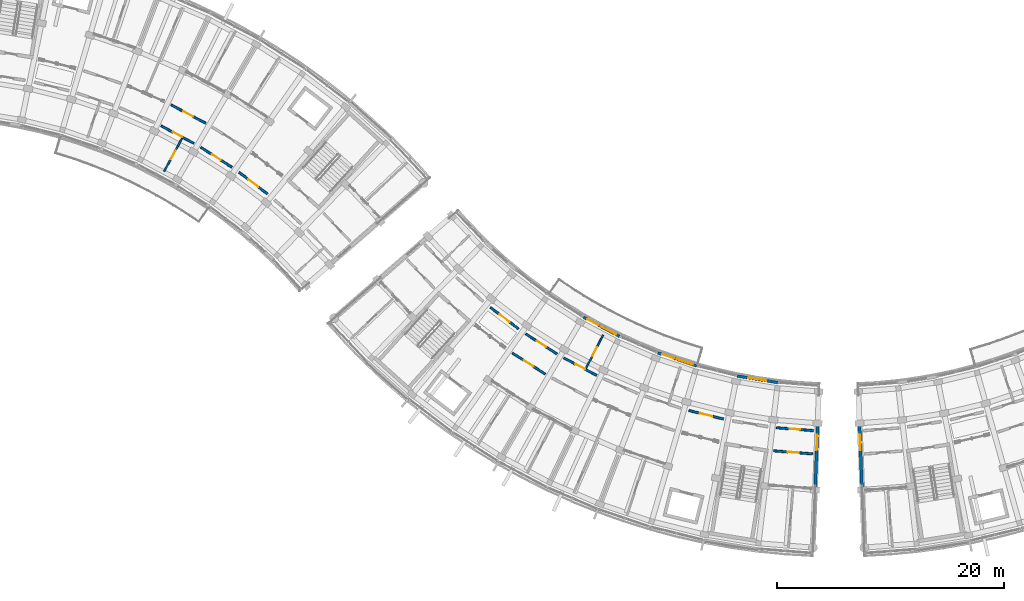
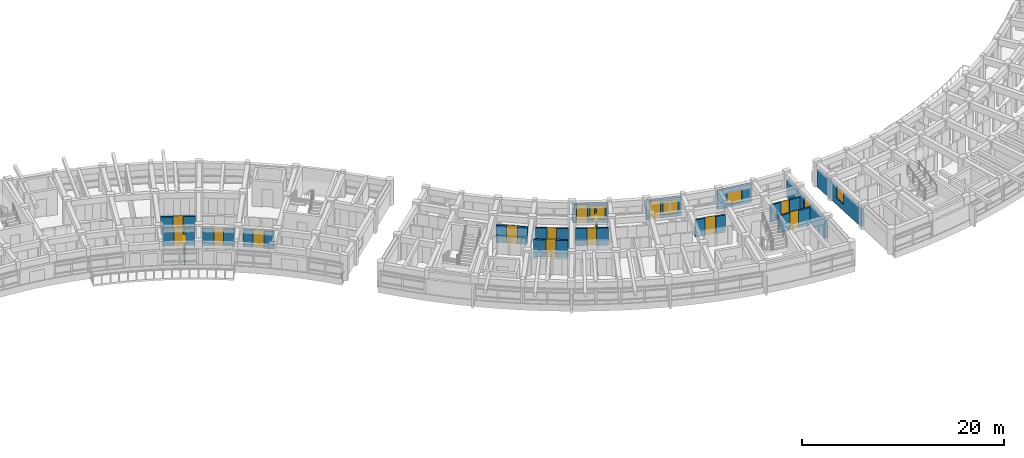
# One storey, part 35 of 56: 18 walls, 15 doors, 5 windows, 20 openings.
"""IFC4 building model written with IfcOpenShell, lengths in metres."""

from ifc_helpers import new_model, si_unit, direction, frame, frame_2d, origin, place, context, subcontext, project, spatial, rectangle, extrude, material, layer, layer_set, type_object, element, fill, save


model = new_model("IFC4")

# Units and contexts
model_context = context("Model", 3, precision=1e-05, world=origin(), true_north=direction((0.0, 1.0)))
body_context = subcontext(model_context, "Body", "Model", "MODEL_VIEW")
ifc_project = project(units=[si_unit("LENGTHUNIT", "METRE"), si_unit("AREAUNIT", "SQUARE_METRE"), si_unit("VOLUMEUNIT", "CUBIC_METRE"), si_unit("PLANEANGLEUNIT", "RADIAN"), si_unit("MASSUNIT", "GRAM", prefix="KILO")], contexts=[model_context])

# Site, building, storey
site_placement = place(None, origin())
site = spatial("IfcSite", under=ifc_project, at=site_placement, CompositionType="ELEMENT")
building_placement = place(site_placement, origin())
building = spatial("IfcBuilding", under=site, at=building_placement, Name="Zimvara Arc Housing Community", CompositionType="ELEMENT")
storey_placement = place(building_placement, frame((0.0, 0.0, 11.199951171875)))
storey = spatial("IfcBuildingStorey", under=building, at=storey_placement, Name="L03", CompositionType="ELEMENT", Elevation=11.199951171875)

# Wall, opening, window
ifc_material_1 = material(Name="Board-Marked Fair-Faced Concrete C35/45", Category="concrete")
ifc_layer_1 = layer(ifc_material_1, 0.264892578125)
ifc_layer_set_1 = layer_set([ifc_layer_1], Name="Board-Marked Fair-Faced Concrete C35/45")
wall_type_1 = type_object("IfcWallType", Name="EWL-CONC-265", PredefinedType="SOLIDWALL", material=ifc_layer_set_1)
wall_1_placement = place(storey_placement, frame((124.23876953125, 64.533447265625, 0.0), z_axis=(0.0, 0.0, 1.0), x_axis=(-0.038407966241, -0.999262141847, 0.0)))
wall_1 = element("IfcWall", 1, at=wall_1_placement, inside=storey, type_object=wall_type_1, Name="ewall:blkC:L03:gN", PredefinedType="SOLIDWALL", context=body_context, shape_type="SweptSolid", body=[
    extrude(rectangle(XDim=8.199951171875, YDim=0.264892578125, at=frame_2d((4.10009765625, 0.0))), origin(), (0.0, 0.0, 1.0), 2.080078125),
])
opening_1_placement = place(wall_1_placement, frame((3.590087890625, 0.0, 0.75)))
opening_1 = element("IfcOpeningElement", 2, at=opening_1_placement, cuts=wall_1, Name="Opening W12", PredefinedType="OPENING", context=body_context, shape_type="SweptSolid", body=[
    extrude(rectangle(XDim=1.35009765625, YDim=1.35009765625, at=frame_2d((0.675048828125, 0.675048828125))), frame((0.0, 0.142333984375, 0.0), z_axis=(0.0, -1.0, 0.0), x_axis=(1.0, 0.0, 0.0)), (0.0, 0.0, 1.0), 0.284912109375),
])
ifc_material_2 = material(Name="Solar Control Low-E Double Glazing", Category="glass")
window_type_1 = type_object("IfcWindowType", Name="WIN-RES-1350x1350", PartitioningType="DOUBLE_PANEL_VERTICAL", PredefinedType="WINDOW", material=ifc_material_2)
window_1_placement = place(opening_1_placement, origin())
window_1 = element("IfcWindow", 3, at=window_1_placement, inside=storey, type_object=window_type_1, Name="win:blkC:L03:gN:w", OverallHeight=1.35009765625, OverallWidth=1.35009765625, PartitioningType="DOUBLE_PANEL_VERTICAL", PredefinedType="WINDOW", context=body_context, shape_type="SweptSolid", body=[
    extrude(rectangle(XDim=1.35009765625, YDim=1.35009765625, at=frame_2d((0.675048828125, 0.675048828125))), frame((0.0, 0.030029296875, 0.0), z_axis=(0.0, -1.0, 0.0), x_axis=(1.0, 0.0, 0.0)), (0.0, 0.0, 1.0), 0.06005859375),
])
fill(opening_1, window_1)

wall_2_placement = place(storey_placement, frame((127.72119140625, 64.533447265625, 0.0), z_axis=(0.0, 0.0, 1.0), x_axis=(0.038407966241, -0.999262141847, 0.0)))
wall_2 = element("IfcWall", 4, at=wall_2_placement, inside=storey, type_object=wall_type_1, Name="ewall:blkD:L03:g0", PredefinedType="SOLIDWALL", context=body_context, shape_type="SweptSolid", body=[
    extrude(rectangle(XDim=8.199951171875, YDim=0.264892578125, at=frame_2d((4.10009765625, 0.0))), origin(), (0.0, 0.0, 1.0), 2.080078125),
])
opening_2_placement = place(wall_2_placement, frame((3.590087890625, 0.0, 0.75)))
opening_2 = element("IfcOpeningElement", 5, at=opening_2_placement, cuts=wall_2, Name="Opening W12", PredefinedType="OPENING", context=body_context, shape_type="SweptSolid", body=[
    extrude(rectangle(XDim=1.35009765625, YDim=1.35009765625, at=frame_2d((0.675048828125, 0.675048828125))), frame((0.0, 0.142333984375, 0.0), z_axis=(0.0, -1.0, 0.0), x_axis=(1.0, 0.0, 0.0)), (0.0, 0.0, 1.0), 0.284912109375),
])
window_2_placement = place(opening_2_placement, origin())
window_2 = element("IfcWindow", 6, at=window_2_placement, inside=storey, type_object=window_type_1, Name="win:blkD:L03:g0:w", OverallHeight=1.35009765625, OverallWidth=1.35009765625, PartitioningType="DOUBLE_PANEL_VERTICAL", PredefinedType="WINDOW", context=body_context, shape_type="SweptSolid", body=[
    extrude(rectangle(XDim=1.35009765625, YDim=1.35009765625, at=frame_2d((0.675048828125, 0.675048828125))), frame((0.0, 0.030029296875, 0.0), z_axis=(0.0, -1.0, 0.0), x_axis=(1.0, 0.0, 0.0)), (0.0, 0.0, 1.0), 0.06005859375),
])
fill(opening_2, window_2)

# Wall, openings, door, window
ifc_material_3 = material(Name="Pigmented Fair-Faced Concrete C35/45", Category="concrete")
ifc_layer_2 = layer(ifc_material_3, 0.2451171875)
ifc_layer_set_2 = layer_set([ifc_layer_2], Name="Pigmented Fair-Faced Concrete C35/45")
wall_type_2 = type_object("IfcWallType", Name="EWL-PIGM-245", PredefinedType="SOLIDWALL", material=ifc_layer_set_2)
wall_3_placement = place(storey_placement, frame((103.4990234375, 71.318115234375, 0.0), z_axis=(0.0, 0.0, 1.0), x_axis=(0.883438308286, -0.468547495407, 0.0)))
wall_3 = element("IfcWall", 7, at=wall_3_placement, inside=storey, type_object=wall_type_2, Name="ewall:blkC:L03:in:b4", PredefinedType="SOLIDWALL", context=body_context, shape_type="SweptSolid", body=[
    extrude(rectangle(XDim=3.603759765625, YDim=0.2451171875, at=frame_2d((1.8017578125, 0.0))), origin(), (0.0, 0.0, 1.0), 2.25),
])
opening_3_placement = place(wall_3_placement, frame((0.39990234375, 0.0, 0.0)))
opening_3 = element("IfcOpeningElement", 8, at=opening_3_placement, cuts=wall_3, Name="Opening ED06", PredefinedType="OPENING", context=body_context, shape_type="SweptSolid", body=[
    extrude(rectangle(XDim=1.10009765625, YDim=2.14990234375, at=frame_2d((0.550048828125, 1.074951171875))), frame((0.0, 0.132568359375, 0.0), z_axis=(0.0, -1.0, 0.0), x_axis=(1.0, 0.0, 0.0)), (0.0, 0.0, 1.0), 0.26513671875),
])
opening_4_placement = place(wall_3_placement, frame((1.753662109375, 0.0, 0.35009765625)))
opening_4 = element("IfcOpeningElement", 9, at=opening_4_placement, cuts=wall_3, Name="Opening W07", PredefinedType="OPENING", context=body_context, shape_type="SweptSolid", body=[
    extrude(rectangle(XDim=1.5, YDim=1.64990234375, at=frame_2d((0.75, 0.824951171875))), frame((0.0, 0.132568359375, 0.0), z_axis=(0.0, -1.0, 0.0), x_axis=(1.0, 0.0, 0.0)), (0.0, 0.0, 1.0), 0.26513671875),
])
ifc_material_4 = material(Name="Anodised Aluminium AW-6063", Category="aluminium")
door_type_1 = type_object("IfcDoorType", Name="EDR-TERR-1100x2150", OperationType="NOTDEFINED", PredefinedType="DOOR", material=ifc_material_4)
door_1_placement = place(opening_3_placement, origin())
door_1 = element("IfcDoor", 10, at=door_1_placement, inside=storey, type_object=door_type_1, Name="edoor:blkC:L03:bal_in:b4", OperationType="SINGLE_SWING_RIGHT", OverallHeight=2.14990234375, OverallWidth=1.10009765625, PredefinedType="DOOR", context=body_context, shape_type="SweptSolid", body=[
    extrude(rectangle(XDim=1.10009765625, YDim=2.14990234375, at=frame_2d((0.550048828125, 1.074951171875))), frame((0.0, 0.02490234375, 0.0), z_axis=(0.0, -1.0, 0.0), x_axis=(1.0, 0.0, 0.0)), (0.0, 0.0, 1.0), 0.050048828125),
])
fill(opening_3, door_1)
ifc_material_5 = material(Name="Solar Control Low-E Double Glazing", Category="glass")
window_type_2 = type_object("IfcWindowType", Name="WIN-RES-1500x1650", PartitioningType="DOUBLE_PANEL_VERTICAL", PredefinedType="WINDOW", material=ifc_material_5)
window_3_placement = place(opening_4_placement, origin())
window_3 = element("IfcWindow", 11, at=window_3_placement, inside=storey, type_object=window_type_2, Name="win:blkC:L03:in:b4:balw", OverallHeight=1.64990234375, OverallWidth=1.5, PartitioningType="DOUBLE_PANEL_VERTICAL", PredefinedType="WINDOW", context=body_context, shape_type="SweptSolid", body=[
    extrude(rectangle(XDim=1.5, YDim=1.64990234375, at=frame_2d((0.75, 0.824951171875))), frame((0.0, 0.030029296875, 0.0), z_axis=(0.0, -1.0, 0.0), x_axis=(1.0, 0.0, 0.0)), (0.0, 0.0, 1.0), 0.06005859375),
])
fill(opening_4, window_3)

wall_4_placement = place(storey_placement, frame((110.066650390625, 68.175048828125, 0.0), z_axis=(0.0, 0.0, 1.0), x_axis=(0.947887701822, -0.318604621332, 0.0)))
wall_4 = element("IfcWall", 12, at=wall_4_placement, inside=storey, type_object=wall_type_2, Name="ewall:blkC:L03:in:b6", PredefinedType="SOLIDWALL", context=body_context, shape_type="SweptSolid", body=[
    extrude(rectangle(XDim=3.603759765625, YDim=0.2451171875, at=frame_2d((1.8017578125, 0.0))), origin(), (0.0, 0.0, 1.0), 2.25),
])
opening_5_placement = place(wall_4_placement, frame((0.39990234375, 0.0, 0.0)))
opening_5 = element("IfcOpeningElement", 13, at=opening_5_placement, cuts=wall_4, Name="Opening ED06", PredefinedType="OPENING", context=body_context, shape_type="SweptSolid", body=[
    extrude(rectangle(XDim=1.10009765625, YDim=2.14990234375, at=frame_2d((0.550048828125, 1.074951171875))), frame((0.0, 0.132568359375, 0.0), z_axis=(0.0, -1.0, 0.0), x_axis=(1.0, 0.0, 0.0)), (0.0, 0.0, 1.0), 0.26513671875),
])
opening_6_placement = place(wall_4_placement, frame((1.753662109375, 0.0, 0.35009765625)))
opening_6 = element("IfcOpeningElement", 14, at=opening_6_placement, cuts=wall_4, Name="Opening W07", PredefinedType="OPENING", context=body_context, shape_type="SweptSolid", body=[
    extrude(rectangle(XDim=1.5, YDim=1.64990234375, at=frame_2d((0.75, 0.824951171875))), frame((0.0, 0.132568359375, 0.0), z_axis=(0.0, -1.0, 0.0), x_axis=(1.0, 0.0, 0.0)), (0.0, 0.0, 1.0), 0.26513671875),
])
door_2_placement = place(opening_5_placement, origin())
door_2 = element("IfcDoor", 15, at=door_2_placement, inside=storey, type_object=door_type_1, Name="edoor:blkC:L03:bal_in:b6", OperationType="SINGLE_SWING_RIGHT", OverallHeight=2.14990234375, OverallWidth=1.10009765625, PredefinedType="DOOR", context=body_context, shape_type="SweptSolid", body=[
    extrude(rectangle(XDim=1.10009765625, YDim=2.14990234375, at=frame_2d((0.550048828125, 1.074951171875))), frame((0.0, 0.02490234375, 0.0), z_axis=(0.0, -1.0, 0.0), x_axis=(1.0, 0.0, 0.0)), (0.0, 0.0, 1.0), 0.050048828125),
])
fill(opening_5, door_2)
window_4_placement = place(opening_6_placement, origin())
window_4 = element("IfcWindow", 16, at=window_4_placement, inside=storey, type_object=window_type_2, Name="win:blkC:L03:in:b6:balw", OverallHeight=1.64990234375, OverallWidth=1.5, PartitioningType="DOUBLE_PANEL_VERTICAL", PredefinedType="WINDOW", context=body_context, shape_type="SweptSolid", body=[
    extrude(rectangle(XDim=1.5, YDim=1.64990234375, at=frame_2d((0.75, 0.824951171875))), frame((0.0, 0.030029296875, 0.0), z_axis=(0.0, -1.0, 0.0), x_axis=(1.0, 0.0, 0.0)), (0.0, 0.0, 1.0), 0.06005859375),
])
fill(opening_6, window_4)

# Wall, opening, window
wall_5_placement = place(storey_placement, frame((117.05810546875, 66.141845703125, 0.0), z_axis=(0.0, 0.0, 1.0), x_axis=(0.987080874485, -0.160222804952, 0.0)))
wall_5 = element("IfcWall", 17, at=wall_5_placement, inside=storey, type_object=wall_type_2, Name="ewall:blkC:L03:in:b8", PredefinedType="SOLIDWALL", context=body_context, shape_type="SweptSolid", body=[
    extrude(rectangle(XDim=3.603759765625, YDim=0.2451171875, at=frame_2d((1.8017578125, 0.0))), origin(), (0.0, 0.0, 1.0), 2.25),
])
opening_7_placement = place(wall_5_placement, frame((1.001708984375, 0.0, 0.320068359375)))
opening_7 = element("IfcOpeningElement", 18, at=opening_7_placement, cuts=wall_5, Name="Opening W03", PredefinedType="OPENING", context=body_context, shape_type="SweptSolid", body=[
    extrude(rectangle(XDim=1.60009765625, YDim=1.5, at=frame_2d((0.800048828125, 0.75))), frame((0.0, 0.132568359375, 0.0), z_axis=(0.0, -1.0, 0.0), x_axis=(1.0, 0.0, 0.0)), (0.0, 0.0, 1.0), 0.26513671875),
])
ifc_material_6 = material(Name="Solar Control Low-E Double Glazing", Category="glass")
window_type_3 = type_object("IfcWindowType", Name="WIN-RES-1600x1500", PartitioningType="DOUBLE_PANEL_VERTICAL", PredefinedType="WINDOW", material=ifc_material_6)
window_5_placement = place(opening_7_placement, origin())
window_5 = element("IfcWindow", 19, at=window_5_placement, inside=storey, type_object=window_type_3, Name="win:blkC:L03:in:b8", OverallHeight=1.5, OverallWidth=1.60009765625, PartitioningType="DOUBLE_PANEL_VERTICAL", PredefinedType="WINDOW", context=body_context, shape_type="SweptSolid", body=[
    extrude(rectangle(XDim=1.60009765625, YDim=1.5, at=frame_2d((0.800048828125, 0.75))), frame((0.0, 0.030029296875, 0.0), z_axis=(0.0, -1.0, 0.0), x_axis=(1.0, 0.0, 0.0)), (0.0, 0.0, 1.0), 0.06005859375),
])
fill(opening_7, window_5)

# Wall, opening, door
ifc_material_7 = material(Name="Concrete C35/45", Category="concrete")
ifc_layer_3 = layer(ifc_material_7, 0.18994140625)
ifc_layer_set_3 = layer_set([ifc_layer_3], Name="Concrete C35/45")
wall_type_3 = type_object("IfcWallType", Name="IWL-CORR-190", PredefinedType="SOLIDWALL", material=ifc_layer_set_3)
wall_6_placement = place(storey_placement, frame((67.1943359375, 90.013916015625, 0.0), z_axis=(0.0, 0.0, 1.0), x_axis=(0.883410853063, -0.468599258099, 0.0)))
wall_6 = element("IfcWall", 20, at=wall_6_placement, inside=storey, type_object=wall_type_3, Name="iwall:blkB:L03:corr_out:b5", PredefinedType="SOLIDWALL", context=body_context, shape_type="SweptSolid", body=[
    extrude(rectangle(XDim=3.43603515625, YDim=0.18994140625, at=frame_2d((1.718017578125, 0.0))), origin(), (0.0, 0.0, 1.0), 2.080078125),
])
opening_8_placement = place(wall_6_placement, frame((1.22802734375, 0.0, 0.0)))
opening_8 = element("IfcOpeningElement", 21, at=opening_8_placement, cuts=wall_6, Name="Opening FD-FL1", PredefinedType="OPENING", context=body_context, shape_type="SweptSolid", body=[
    extrude(rectangle(XDim=0.97998046875, YDim=2.14990234375, at=frame_2d((0.489990234375, 1.074951171875))), frame((0.0, 0.10498046875, 0.0), z_axis=(0.0, -1.0, 0.0), x_axis=(1.0, 0.0, 0.0)), (0.0, 0.0, 1.0), 0.2099609375),
])
ifc_material_8 = material(Name="Mozambican Hardwood", Category="wood")
door_type_2 = type_object("IfcDoorType", Name="IDR-FLAT-0980x2150", OperationType="NOTDEFINED", PredefinedType="DOOR", material=ifc_material_8)
door_3_placement = place(opening_8_placement, origin())
door_3 = element("IfcDoor", 22, at=door_3_placement, inside=storey, type_object=door_type_2, Name="idoor:blkB:L03:flat:b5", OperationType="SINGLE_SWING_RIGHT", OverallHeight=2.14990234375, OverallWidth=0.97998046875, PredefinedType="DOOR", context=body_context, shape_type="SweptSolid", body=[
    extrude(rectangle(XDim=0.97998046875, YDim=2.14990234375, at=frame_2d((0.489990234375, 1.074951171875))), frame((0.0, 0.02490234375, 0.0), z_axis=(0.0, -1.0, 0.0), x_axis=(1.0, 0.0, 0.0)), (0.0, 0.0, 1.0), 0.050048828125),
])
fill(opening_8, door_3)

wall_7_placement = place(storey_placement, frame((66.30859375, 88.1650390625, 0.0), z_axis=(0.0, 0.0, 1.0), x_axis=(0.883444301944, -0.468536194293, 0.0)))
wall_7 = element("IfcWall", 23, at=wall_7_placement, inside=storey, type_object=wall_type_3, Name="iwall:blkB:L03:corr_in:b5", PredefinedType="SOLIDWALL", context=body_context, shape_type="SweptSolid", body=[
    extrude(rectangle(XDim=3.268798828125, YDim=0.18994140625, at=frame_2d((1.63427734375, 0.0))), origin(), (0.0, 0.0, 1.0), 2.080078125),
])
opening_9_placement = place(wall_7_placement, frame((1.184326171875, 0.0, 0.0)))
opening_9 = element("IfcOpeningElement", 24, at=opening_9_placement, cuts=wall_7, Name="Opening D01", PredefinedType="OPENING", context=body_context, shape_type="SweptSolid", body=[
    extrude(rectangle(XDim=0.89990234375, YDim=2.10009765625, at=frame_2d((0.449951171875, 1.050048828125))), frame((0.0, 0.10498046875, 0.0), z_axis=(0.0, -1.0, 0.0), x_axis=(1.0, 0.0, 0.0)), (0.0, 0.0, 1.0), 0.2099609375),
])
ifc_material_9 = material(Name="Mozambican Hardwood", Category="wood")
door_type_3 = type_object("IfcDoorType", Name="IDR-RM-0900x2100", OperationType="NOTDEFINED", PredefinedType="DOOR", material=ifc_material_9)
door_4_placement = place(opening_9_placement, origin())
door_4 = element("IfcDoor", 25, at=door_4_placement, inside=storey, type_object=door_type_3, Name="idoor:blkB:L03:in_rm:b5", OperationType="SINGLE_SWING_LEFT", OverallHeight=2.10009765625, OverallWidth=0.89990234375, PredefinedType="DOOR", context=body_context, shape_type="SweptSolid", body=[
    extrude(rectangle(XDim=0.89990234375, YDim=2.10009765625, at=frame_2d((0.449951171875, 1.050048828125))), frame((0.0, 0.02490234375, 0.0), z_axis=(0.0, -1.0, 0.0), x_axis=(1.0, 0.0, 0.0)), (0.0, 0.0, 1.0), 0.050048828125),
])
fill(opening_9, door_4)

wall_8_placement = place(storey_placement, frame((69.80029296875, 86.281005859375, 0.0), z_axis=(0.0, 0.0, 1.0), x_axis=(0.842225276846, -0.539125758095, 0.0)))
wall_8 = element("IfcWall", 26, at=wall_8_placement, inside=storey, type_object=wall_type_3, Name="iwall:blkB:L03:corr_in:b6", PredefinedType="SOLIDWALL", context=body_context, shape_type="SweptSolid", body=[
    extrude(rectangle(XDim=3.2685546875, YDim=0.18994140625, at=frame_2d((1.63427734375, 0.0))), origin(), (0.0, 0.0, 1.0), 2.080078125),
])
opening_10_placement = place(wall_8_placement, frame((1.17431640625, 0.0, 0.0)))
opening_10 = element("IfcOpeningElement", 27, at=opening_10_placement, cuts=wall_8, Name="Opening D02", PredefinedType="OPENING", context=body_context, shape_type="SweptSolid", body=[
    extrude(rectangle(XDim=0.919921875, YDim=2.10009765625, at=frame_2d((0.4599609375, 1.050048828125))), frame((0.0, 0.10498046875, 0.0), z_axis=(0.0, -1.0, 0.0), x_axis=(1.0, 0.0, 0.0)), (0.0, 0.0, 1.0), 0.2099609375),
])
ifc_material_10 = material(Name="Mozambican Hardwood", Category="wood")
door_type_4 = type_object("IfcDoorType", Name="IDR-RM-0920x2100", OperationType="NOTDEFINED", PredefinedType="DOOR", material=ifc_material_10)
door_5_placement = place(opening_10_placement, origin())
door_5 = element("IfcDoor", 28, at=door_5_placement, inside=storey, type_object=door_type_4, Name="idoor:blkB:L03:in_rm:b6", OperationType="SINGLE_SWING_LEFT", OverallHeight=2.10009765625, OverallWidth=0.919921875, PredefinedType="DOOR", context=body_context, shape_type="SweptSolid", body=[
    extrude(rectangle(XDim=0.919921875, YDim=2.10009765625, at=frame_2d((0.4599609375, 1.050048828125))), frame((0.0, 0.02490234375, 0.0), z_axis=(0.0, -1.0, 0.0), x_axis=(1.0, 0.0, 0.0)), (0.0, 0.0, 1.0), 0.050048828125),
])
fill(opening_10, door_5)

wall_9_placement = place(storey_placement, frame((73.18212890625, 84.07568359375, 0.0), z_axis=(0.0, 0.0, 1.0), x_axis=(0.795501577908, -0.605951515838, 0.0)))
wall_9 = element("IfcWall", 29, at=wall_9_placement, inside=storey, type_object=wall_type_3, Name="iwall:blkB:L03:ra_div:b7", PredefinedType="SOLIDWALL", context=body_context, shape_type="SweptSolid", body=[
    extrude(rectangle(XDim=3.128662109375, YDim=0.18994140625, at=frame_2d((1.564453125, 0.0))), origin(), (0.0, 0.0, 1.0), 2.080078125),
])
opening_11_placement = place(wall_9_placement, frame((1.00439453125, 0.0, 0.0)))
opening_11 = element("IfcOpeningElement", 30, at=opening_11_placement, cuts=wall_9, Name="Opening D07", PredefinedType="OPENING", context=body_context, shape_type="SweptSolid", body=[
    extrude(rectangle(XDim=1.1201171875, YDim=2.14990234375, at=frame_2d((0.56005859375, 1.074951171875))), frame((0.0, 0.10498046875, 0.0), z_axis=(0.0, -1.0, 0.0), x_axis=(1.0, 0.0, 0.0)), (0.0, 0.0, 1.0), 0.2099609375),
])
ifc_material_11 = material(Name="Mozambican Hardwood", Category="wood")
door_type_5 = type_object("IfcDoorType", Name="IDR-AMN-1120x2150", OperationType="NOTDEFINED", PredefinedType="DOOR", material=ifc_material_11)
door_6_placement = place(opening_11_placement, origin())
door_6 = element("IfcDoor", 31, at=door_6_placement, inside=storey, type_object=door_type_5, Name="idoor:blkB:L03:ra_d:b7", OperationType="SINGLE_SWING_LEFT", OverallHeight=2.14990234375, OverallWidth=1.1201171875, PredefinedType="DOOR", context=body_context, shape_type="SweptSolid", body=[
    extrude(rectangle(XDim=1.1201171875, YDim=2.14990234375, at=frame_2d((0.56005859375, 1.074951171875))), frame((0.0, 0.02490234375, 0.0), z_axis=(0.0, -1.0, 0.0), x_axis=(1.0, 0.0, 0.0)), (0.0, 0.0, 1.0), 0.050048828125),
])
fill(opening_11, door_6)

wall_10_placement = place(storey_placement, frame((95.30908203125, 72.18017578125, 0.0), z_axis=(0.0, 0.0, 1.0), x_axis=(0.795463961918, -0.606000895453, 0.0)))
wall_10 = element("IfcWall", 32, at=wall_10_placement, inside=storey, type_object=wall_type_3, Name="iwall:blkC:L03:ra_div:b2", PredefinedType="SOLIDWALL", context=body_context, shape_type="SweptSolid", body=[
    extrude(rectangle(XDim=3.128662109375, YDim=0.18994140625, at=frame_2d((1.564453125, 0.0))), origin(), (0.0, 0.0, 1.0), 2.080078125),
])
opening_12_placement = place(wall_10_placement, frame((1.00439453125, 0.0, 0.0)))
opening_12 = element("IfcOpeningElement", 33, at=opening_12_placement, cuts=wall_10, Name="Opening D07", PredefinedType="OPENING", context=body_context, shape_type="SweptSolid", body=[
    extrude(rectangle(XDim=1.1201171875, YDim=2.14990234375, at=frame_2d((0.56005859375, 1.074951171875))), frame((0.0, 0.10498046875, 0.0), z_axis=(0.0, -1.0, 0.0), x_axis=(1.0, 0.0, 0.0)), (0.0, 0.0, 1.0), 0.2099609375),
])
door_7_placement = place(opening_12_placement, origin())
door_7 = element("IfcDoor", 34, at=door_7_placement, inside=storey, type_object=door_type_5, Name="idoor:blkC:L03:ra_d:b2", OperationType="SINGLE_SWING_RIGHT", OverallHeight=2.14990234375, OverallWidth=1.1201171875, PredefinedType="DOOR", context=body_context, shape_type="SweptSolid", body=[
    extrude(rectangle(XDim=1.1201171875, YDim=2.14990234375, at=frame_2d((0.56005859375, 1.074951171875))), frame((0.0, 0.02490234375, 0.0), z_axis=(0.0, -1.0, 0.0), x_axis=(1.0, 0.0, 0.0)), (0.0, 0.0, 1.0), 0.050048828125),
])
fill(opening_12, door_7)

wall_11_placement = place(storey_placement, frame((97.252197265625, 68.160888671875, 0.0), z_axis=(0.0, 0.0, 1.0), x_axis=(0.842289466461, -0.53902546757, 0.0)))
wall_11 = element("IfcWall", 35, at=wall_11_placement, inside=storey, type_object=wall_type_3, Name="iwall:blkC:L03:corr_out:b3", PredefinedType="SOLIDWALL", context=body_context, shape_type="SweptSolid", body=[
    extrude(rectangle(XDim=3.43603515625, YDim=0.18994140625, at=frame_2d((1.718017578125, 0.0))), origin(), (0.0, 0.0, 1.0), 2.080078125),
])
opening_13_placement = place(wall_11_placement, frame((1.22802734375, 0.0, 0.0)))
opening_13 = element("IfcOpeningElement", 36, at=opening_13_placement, cuts=wall_11, Name="Opening FD-FL1", PredefinedType="OPENING", context=body_context, shape_type="SweptSolid", body=[
    extrude(rectangle(XDim=0.97998046875, YDim=2.14990234375, at=frame_2d((0.489990234375, 1.074951171875))), frame((0.0, 0.10498046875, 0.0), z_axis=(0.0, -1.0, 0.0), x_axis=(1.0, 0.0, 0.0)), (0.0, 0.0, 1.0), 0.2099609375),
])
door_8_placement = place(opening_13_placement, origin())
door_8 = element("IfcDoor", 37, at=door_8_placement, inside=storey, type_object=door_type_2, Name="idoor:blkC:L03:flat:b3", OperationType="SINGLE_SWING_LEFT", OverallHeight=2.14990234375, OverallWidth=0.97998046875, PredefinedType="DOOR", context=body_context, shape_type="SweptSolid", body=[
    extrude(rectangle(XDim=0.97998046875, YDim=2.14990234375, at=frame_2d((0.489990234375, 1.074951171875))), frame((0.0, 0.02490234375, 0.0), z_axis=(0.0, -1.0, 0.0), x_axis=(1.0, 0.0, 0.0)), (0.0, 0.0, 1.0), 0.050048828125),
])
fill(opening_13, door_8)

wall_12_placement = place(storey_placement, frame((98.4267578125, 69.841064453125, 0.0), z_axis=(0.0, 0.0, 1.0), x_axis=(0.842280895761, -0.539038860043, 0.0)))
wall_12 = element("IfcWall", 38, at=wall_12_placement, inside=storey, type_object=wall_type_3, Name="iwall:blkC:L03:corr_in:b3", PredefinedType="SOLIDWALL", context=body_context, shape_type="SweptSolid", body=[
    extrude(rectangle(XDim=3.268798828125, YDim=0.18994140625, at=frame_2d((1.63427734375, 0.0))), origin(), (0.0, 0.0, 1.0), 2.080078125),
])
opening_14_placement = place(wall_12_placement, frame((1.164306640625, 0.0, 0.0)))
opening_14 = element("IfcOpeningElement", 39, at=opening_14_placement, cuts=wall_12, Name="Opening D03", PredefinedType="OPENING", context=body_context, shape_type="SweptSolid", body=[
    extrude(rectangle(XDim=0.93994140625, YDim=2.10009765625, at=frame_2d((0.469970703125, 1.050048828125))), frame((0.0, 0.10498046875, 0.0), z_axis=(0.0, -1.0, 0.0), x_axis=(1.0, 0.0, 0.0)), (0.0, 0.0, 1.0), 0.2099609375),
])
ifc_material_12 = material(Name="Mozambican Hardwood", Category="wood")
door_type_6 = type_object("IfcDoorType", Name="IDR-RM-0940x2100", OperationType="NOTDEFINED", PredefinedType="DOOR", material=ifc_material_12)
door_9_placement = place(opening_14_placement, origin())
door_9 = element("IfcDoor", 40, at=door_9_placement, inside=storey, type_object=door_type_6, Name="idoor:blkC:L03:in_rm:b3", OperationType="SINGLE_SWING_RIGHT", OverallHeight=2.10009765625, OverallWidth=0.93994140625, PredefinedType="DOOR", context=body_context, shape_type="SweptSolid", body=[
    extrude(rectangle(XDim=0.93994140625, YDim=2.10009765625, at=frame_2d((0.469970703125, 1.050048828125))), frame((0.0, 0.02490234375, 0.0), z_axis=(0.0, -1.0, 0.0), x_axis=(1.0, 0.0, 0.0)), (0.0, 0.0, 1.0), 0.050048828125),
])
fill(opening_14, door_9)

wall_13_placement = place(storey_placement, frame((101.78369140625, 67.726318359375, 0.0), z_axis=(0.0, 0.0, 1.0), x_axis=(0.883444301944, -0.468536194293, 0.0)))
wall_13 = element("IfcWall", 41, at=wall_13_placement, inside=storey, type_object=wall_type_3, Name="iwall:blkC:L03:corr_in:b4", PredefinedType="SOLIDWALL", context=body_context, shape_type="SweptSolid", body=[
    extrude(rectangle(XDim=3.268798828125, YDim=0.18994140625, at=frame_2d((1.63427734375, 0.0))), origin(), (0.0, 0.0, 1.0), 2.080078125),
])
opening_15_placement = place(wall_13_placement, frame((1.154296875, 0.0, 0.0)))
opening_15 = element("IfcOpeningElement", 42, at=opening_15_placement, cuts=wall_13, Name="Opening D04", PredefinedType="OPENING", context=body_context, shape_type="SweptSolid", body=[
    extrude(rectangle(XDim=0.9599609375, YDim=2.10009765625, at=frame_2d((0.47998046875, 1.050048828125))), frame((0.0, 0.10498046875, 0.0), z_axis=(0.0, -1.0, 0.0), x_axis=(1.0, 0.0, 0.0)), (0.0, 0.0, 1.0), 0.2099609375),
])
ifc_material_13 = material(Name="Mozambican Hardwood", Category="wood")
door_type_7 = type_object("IfcDoorType", Name="IDR-RM-0960x2100", OperationType="NOTDEFINED", PredefinedType="DOOR", material=ifc_material_13)
door_10_placement = place(opening_15_placement, origin())
door_10 = element("IfcDoor", 43, at=door_10_placement, inside=storey, type_object=door_type_7, Name="idoor:blkC:L03:in_rm:b4", OperationType="SINGLE_SWING_LEFT", OverallHeight=2.10009765625, OverallWidth=0.9599609375, PredefinedType="DOOR", context=body_context, shape_type="SweptSolid", body=[
    extrude(rectangle(XDim=0.9599609375, YDim=2.10009765625, at=frame_2d((0.47998046875, 1.050048828125))), frame((0.0, 0.02490234375, 0.0), z_axis=(0.0, -1.0, 0.0), x_axis=(1.0, 0.0, 0.0)), (0.0, 0.0, 1.0), 0.050048828125),
])
fill(opening_15, door_10)

wall_14_placement = place(storey_placement, frame((112.796142578125, 63.098388671875, 0.0), z_axis=(0.0, 0.0, 1.0), x_axis=(0.970708998014, -0.240258280136, 0.0)))
wall_14 = element("IfcWall", 44, at=wall_14_placement, inside=storey, type_object=wall_type_3, Name="iwall:blkC:L03:ra_div:b7", PredefinedType="SOLIDWALL", context=body_context, shape_type="SweptSolid", body=[
    extrude(rectangle(XDim=3.128662109375, YDim=0.18994140625, at=frame_2d((1.564453125, 0.0))), origin(), (0.0, 0.0, 1.0), 2.080078125),
])
opening_16_placement = place(wall_14_placement, frame((1.00439453125, 0.0, 0.0)))
opening_16 = element("IfcOpeningElement", 45, at=opening_16_placement, cuts=wall_14, Name="Opening D07", PredefinedType="OPENING", context=body_context, shape_type="SweptSolid", body=[
    extrude(rectangle(XDim=1.1201171875, YDim=2.14990234375, at=frame_2d((0.56005859375, 1.074951171875))), frame((0.0, 0.10498046875, 0.0), z_axis=(0.0, -1.0, 0.0), x_axis=(1.0, 0.0, 0.0)), (0.0, 0.0, 1.0), 0.2099609375),
])
door_11_placement = place(opening_16_placement, origin())
door_11 = element("IfcDoor", 46, at=door_11_placement, inside=storey, type_object=door_type_5, Name="idoor:blkC:L03:ra_d:b7", OperationType="SINGLE_SWING_RIGHT", OverallHeight=2.14990234375, OverallWidth=1.1201171875, PredefinedType="DOOR", context=body_context, shape_type="SweptSolid", body=[
    extrude(rectangle(XDim=1.1201171875, YDim=2.14990234375, at=frame_2d((0.56005859375, 1.074951171875))), frame((0.0, 0.02490234375, 0.0), z_axis=(0.0, -1.0, 0.0), x_axis=(1.0, 0.0, 0.0)), (0.0, 0.0, 1.0), 0.050048828125),
])
fill(opening_16, door_11)

wall_15_placement = place(storey_placement, frame((120.261474609375, 59.547119140625, 0.0), z_axis=(0.0, 0.0, 1.0), x_axis=(0.996862545573, -0.079152165058, 0.0)))
wall_15 = element("IfcWall", 47, at=wall_15_placement, inside=storey, type_object=wall_type_3, Name="iwall:blkC:L03:corr_out:b9", PredefinedType="SOLIDWALL", context=body_context, shape_type="SweptSolid", body=[
    extrude(rectangle(XDim=3.43603515625, YDim=0.18994140625, at=frame_2d((1.718017578125, 0.0))), origin(), (0.0, 0.0, 1.0), 2.080078125),
])
opening_17_placement = place(wall_15_placement, frame((1.22802734375, 0.0, 0.0)))
opening_17 = element("IfcOpeningElement", 48, at=opening_17_placement, cuts=wall_15, Name="Opening FD-FL1", PredefinedType="OPENING", context=body_context, shape_type="SweptSolid", body=[
    extrude(rectangle(XDim=0.97998046875, YDim=2.14990234375, at=frame_2d((0.489990234375, 1.074951171875))), frame((0.0, 0.10498046875, 0.0), z_axis=(0.0, -1.0, 0.0), x_axis=(1.0, 0.0, 0.0)), (0.0, 0.0, 1.0), 0.2099609375),
])
door_12_placement = place(opening_17_placement, origin())
door_12 = element("IfcDoor", 49, at=door_12_placement, inside=storey, type_object=door_type_2, Name="idoor:blkC:L03:flat:b9", OperationType="SINGLE_SWING_RIGHT", OverallHeight=2.14990234375, OverallWidth=0.97998046875, PredefinedType="DOOR", context=body_context, shape_type="SweptSolid", body=[
    extrude(rectangle(XDim=0.97998046875, YDim=2.14990234375, at=frame_2d((0.489990234375, 1.074951171875))), frame((0.0, 0.02490234375, 0.0), z_axis=(0.0, -1.0, 0.0), x_axis=(1.0, 0.0, 0.0)), (0.0, 0.0, 1.0), 0.050048828125),
])
fill(opening_17, door_12)

wall_16_placement = place(storey_placement, frame((120.507080078125, 61.582275390625, 0.0), z_axis=(0.0, 0.0, 1.0), x_axis=(0.996860715473, -0.07917521043, 0.0)))
wall_16 = element("IfcWall", 50, at=wall_16_placement, inside=storey, type_object=wall_type_3, Name="iwall:blkC:L03:corr_in:b9", PredefinedType="SOLIDWALL", context=body_context, shape_type="SweptSolid", body=[
    extrude(rectangle(XDim=3.2685546875, YDim=0.18994140625, at=frame_2d((1.63427734375, 0.0))), origin(), (0.0, 0.0, 1.0), 2.080078125),
])
opening_18_placement = place(wall_16_placement, frame((1.184326171875, 0.0, 0.0)))
opening_18 = element("IfcOpeningElement", 51, at=opening_18_placement, cuts=wall_16, Name="Opening D01", PredefinedType="OPENING", context=body_context, shape_type="SweptSolid", body=[
    extrude(rectangle(XDim=0.89990234375, YDim=2.10009765625, at=frame_2d((0.449951171875, 1.050048828125))), frame((0.0, 0.10498046875, 0.0), z_axis=(0.0, -1.0, 0.0), x_axis=(1.0, 0.0, 0.0)), (0.0, 0.0, 1.0), 0.2099609375),
])
door_13_placement = place(opening_18_placement, origin())
door_13 = element("IfcDoor", 52, at=door_13_placement, inside=storey, type_object=door_type_3, Name="idoor:blkC:L03:in_rm:b9", OperationType="SINGLE_SWING_LEFT", OverallHeight=2.10009765625, OverallWidth=0.89990234375, PredefinedType="DOOR", context=body_context, shape_type="SweptSolid", body=[
    extrude(rectangle(XDim=0.89990234375, YDim=2.10009765625, at=frame_2d((0.449951171875, 1.050048828125))), frame((0.0, 0.02490234375, 0.0), z_axis=(0.0, -1.0, 0.0), x_axis=(1.0, 0.0, 0.0)), (0.0, 0.0, 1.0), 0.050048828125),
])
fill(opening_18, door_13)

ifc_material_14 = material(Name="Painted Acoustic Plasterboard")
ifc_layer_4 = layer(ifc_material_14, 0.14501953125)
ifc_layer_set_4 = layer_set([ifc_layer_4], Name="Painted Acoustic Plasterboard")
wall_type_4 = type_object("IfcWallType", Name="IWL-WET-145", PredefinedType="PARTITIONING", material=ifc_layer_set_4)
wall_17_placement = place(storey_placement, frame((66.57470703125, 84.16162109375, 0.0), z_axis=(0.0, 0.0, 1.0), x_axis=(0.477841058477, 0.878446311868, 0.0)))
wall_17 = element("IfcWall", 53, at=wall_17_placement, inside=storey, type_object=wall_type_4, Name="iwall:blkB:L03:ens:b5", PredefinedType="PARTITIONING", context=body_context, shape_type="SweptSolid", body=[
    extrude(rectangle(XDim=3.300048828125, YDim=0.14501953125, at=frame_2d((1.64990234375, 0.0))), origin(), (0.0, 0.0, 1.0), 2.080078125),
])
opening_19_placement = place(wall_17_placement, frame((1.2099609375, 0.0, 0.0)))
opening_19 = element("IfcOpeningElement", 54, at=opening_19_placement, cuts=wall_17, Name="Opening D05", PredefinedType="OPENING", context=body_context, shape_type="SweptSolid", body=[
    extrude(rectangle(XDim=0.8798828125, YDim=2.10009765625, at=frame_2d((0.43994140625, 1.050048828125))), frame((0.0, 0.08251953125, 0.0), z_axis=(0.0, -1.0, 0.0), x_axis=(1.0, 0.0, 0.0)), (0.0, 0.0, 1.0), 0.1650390625),
])
ifc_material_15 = material(Name="Mozambican Hardwood", Category="wood")
door_type_8 = type_object("IfcDoorType", Name="IDR-WC-0880x2100", OperationType="NOTDEFINED", PredefinedType="DOOR", material=ifc_material_15)
door_14_placement = place(opening_19_placement, origin())
door_14 = element("IfcDoor", 55, at=door_14_placement, inside=storey, type_object=door_type_8, Name="idoor:blkB:L03:ens_d:b5", OperationType="SINGLE_SWING_RIGHT", OverallHeight=2.10009765625, OverallWidth=0.8798828125, PredefinedType="DOOR", context=body_context, shape_type="SweptSolid", body=[
    extrude(rectangle(XDim=0.8798828125, YDim=2.10009765625, at=frame_2d((0.43994140625, 1.050048828125))), frame((0.0, 0.02490234375, 0.0), z_axis=(0.0, -1.0, 0.0), x_axis=(1.0, 0.0, 0.0)), (0.0, 0.0, 1.0), 0.050048828125),
])
fill(opening_19, door_14)

wall_18_placement = place(storey_placement, frame((105.247314453125, 69.751708984375, 0.0), z_axis=(0.0, 0.0, 1.0), x_axis=(-0.459187433099, -0.888339406581, 0.0)))
wall_18 = element("IfcWall", 56, at=wall_18_placement, inside=storey, type_object=wall_type_4, Name="iwall:blkC:L03:ens:b4", PredefinedType="PARTITIONING", context=body_context, shape_type="SweptSolid", body=[
    extrude(rectangle(XDim=3.300048828125, YDim=0.14501953125, at=frame_2d((1.64990234375, 0.0))), origin(), (0.0, 0.0, 1.0), 2.080078125),
])
opening_20_placement = place(wall_18_placement, frame((1.2099609375, 0.0, 0.0)))
opening_20 = element("IfcOpeningElement", 57, at=opening_20_placement, cuts=wall_18, Name="Opening D05", PredefinedType="OPENING", context=body_context, shape_type="SweptSolid", body=[
    extrude(rectangle(XDim=0.8798828125, YDim=2.10009765625, at=frame_2d((0.43994140625, 1.050048828125))), frame((0.0, 0.08251953125, 0.0), z_axis=(0.0, -1.0, 0.0), x_axis=(1.0, 0.0, 0.0)), (0.0, 0.0, 1.0), 0.1650390625),
])
door_15_placement = place(opening_20_placement, origin())
door_15 = element("IfcDoor", 58, at=door_15_placement, inside=storey, type_object=door_type_8, Name="idoor:blkC:L03:ens_d:b4", OperationType="SINGLE_SWING_RIGHT", OverallHeight=2.10009765625, OverallWidth=0.8798828125, PredefinedType="DOOR", context=body_context, shape_type="SweptSolid", body=[
    extrude(rectangle(XDim=0.8798828125, YDim=2.10009765625, at=frame_2d((0.43994140625, 1.050048828125))), frame((0.0, 0.02490234375, 0.0), z_axis=(0.0, -1.0, 0.0), x_axis=(1.0, 0.0, 0.0)), (0.0, 0.0, 1.0), 0.050048828125),
])
fill(opening_20, door_15)

save(model, "model.ifc")
